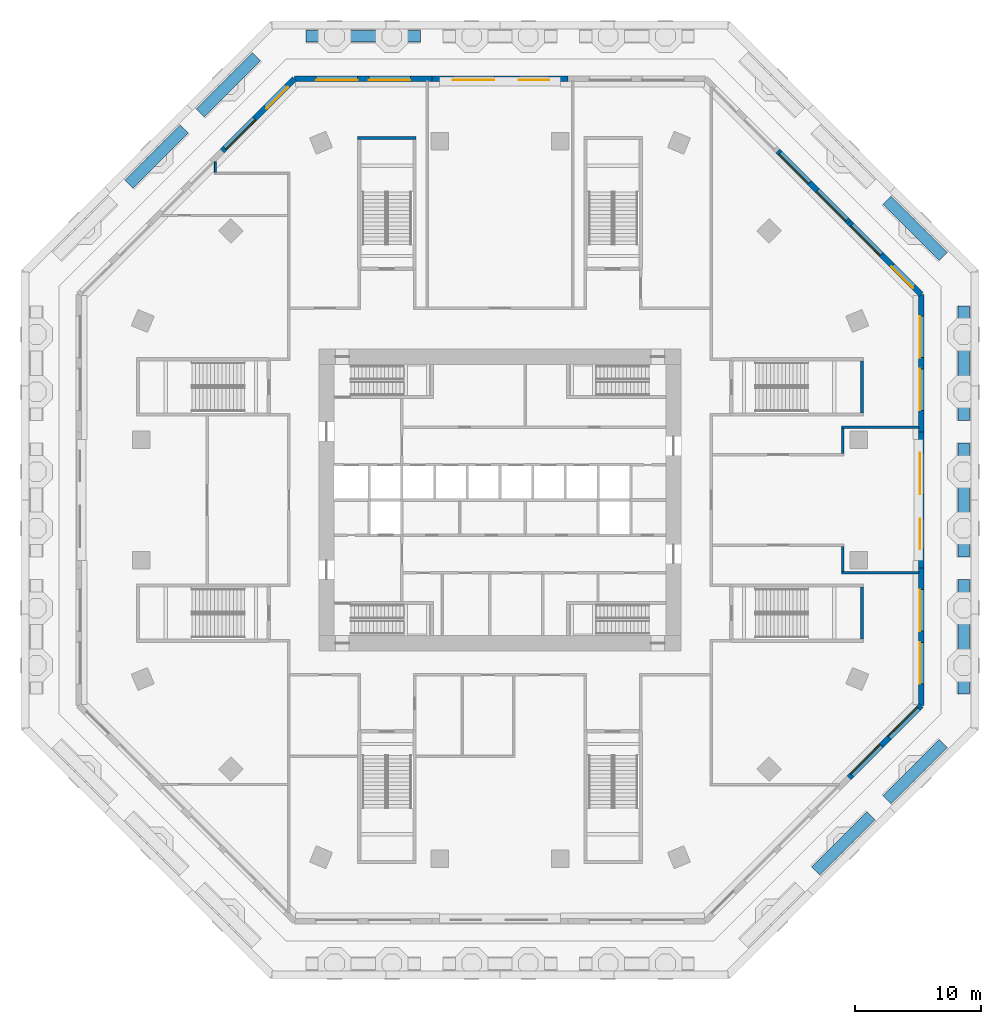
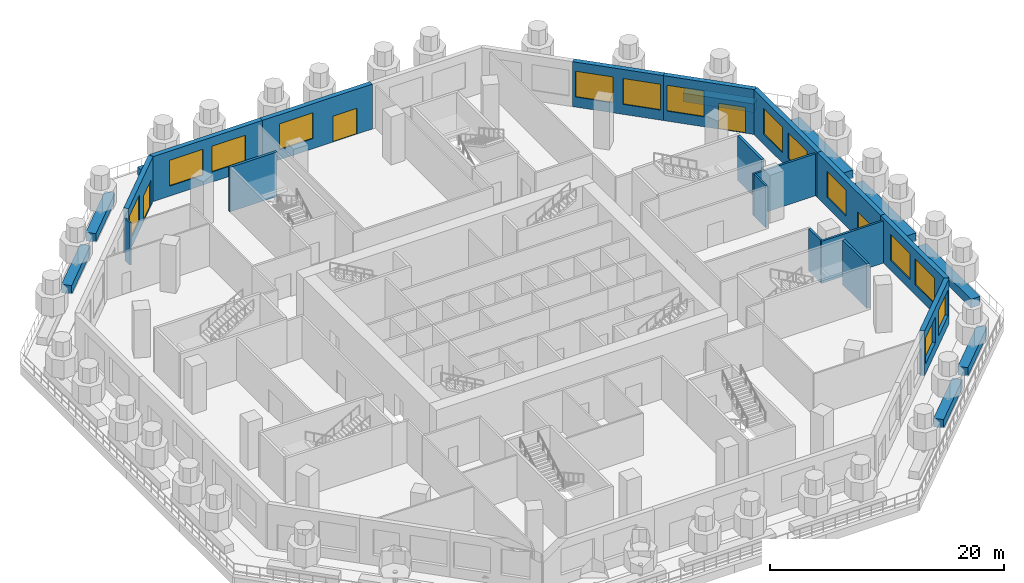
# One storey, part 8 of 13: 26 walls, 14 windows, 4 doors, 18 openings.
"""IFC4 building model written with IfcOpenShell, lengths in metres."""

import ifcopenshell
import ifcopenshell.guid

model = None  # the IFC model being written
_history = None  # IfcOwnerHistory: only IFC2X3 demands one
_inside = {}  # id of a spatial element -> (the spatial element, [elements in it])
_under = {}  # id of a project, library or spatial element -> (it, [spatial elements below it])
_declared = {}  # id of a project -> (the project, [libraries it declares])
_typed = {}  # id of a type object -> (the type object, [elements of that type])
_made_of = {}  # id of a material, layer set ... -> (it, [elements and type objects made of it])


def new_model(schema):
    """Start an empty IFC model of exactly this schema.

    Asked for "IFC4X3", IfcOpenShell would pick the latest addendum, in which some entities
    have other attributes; the version numbers below select the first issue.
    IFC2X3 requires an IfcOwnerHistory on every rooted entity: one is made here for all.
    """
    global model, _history
    if schema == "IFC4X3":
        model = ifcopenshell.file(schema_version=(4, 3, 0, 0))
    else:
        model = ifcopenshell.file(schema=schema)
    _inside.clear()
    _under.clear()
    _declared.clear()
    _typed.clear()
    _made_of.clear()
    _history = None
    if model.schema == "IFC2X3":
        org = make("IfcOrganization", Name="unknown")
        user = make(
            "IfcPersonAndOrganization",
            ThePerson=make("IfcPerson", FamilyName="unknown"),
            TheOrganization=org,
        )
        app = make(
            "IfcApplication",
            ApplicationDeveloper=org,
            Version="unknown",
            ApplicationFullName="unknown",
            ApplicationIdentifier="unknown",
        )
        _history = make(
            "IfcOwnerHistory",
            OwningUser=user,
            OwningApplication=app,
            ChangeAction="ADDED",
            CreationDate=0,
        )
    return model


def make(cls, **values):
    """One entity of the class cls with the attributes given. An attribute that is None is left unset."""
    return model.create_entity(
        cls, **{name: value for name, value in values.items() if value is not None}
    )


def rooted(cls, **values):
    """An entity with a GlobalId (a new one), such as an element, a storey or a relation."""
    return make(cls, GlobalId=ifcopenshell.guid.new(), OwnerHistory=_history, **values)


def si_unit(unit_type, name, prefix=None):
    """IfcSIUnit, for example si_unit("LENGTHUNIT", "METRE", prefix="MILLI")."""
    return make("IfcSIUnit", UnitType=unit_type, Prefix=prefix, Name=name)


def assignment(units):
    """IfcUnitAssignment: the units of a project."""
    return None if units is None else make("IfcUnitAssignment", Units=units)


def point(xyz):
    """IfcCartesianPoint."""
    return None if xyz is None else make("IfcCartesianPoint", Coordinates=xyz)


def direction(xyz):
    """IfcDirection."""
    return None if xyz is None else make("IfcDirection", DirectionRatios=xyz)


def frame(location, z_axis=None, x_axis=None):
    """IfcAxis2Placement3D, a coordinate frame: its origin and axes. An axis left out is left unset."""
    return make(
        "IfcAxis2Placement3D",
        Location=point(location),
        Axis=direction(z_axis),
        RefDirection=direction(x_axis),
    )


def frame_2d(location, x_axis=None):
    """IfcAxis2Placement2D, a coordinate frame in the plane: its origin and x axis."""
    return make(
        "IfcAxis2Placement2D", Location=point(location), RefDirection=direction(x_axis)
    )


def origin():
    """The frame at (0, 0, 0) with its axes left unset."""
    return frame((0.0, 0.0, 0.0))


def place(relative_to, where):
    """IfcLocalPlacement: puts the frame where relative to a parent placement (None: the world)."""
    return make(
        "IfcLocalPlacement", PlacementRelTo=relative_to, RelativePlacement=where
    )


def context(
    kind, dimensions, precision=None, world=None, true_north=None, identifier=None
):
    """IfcGeometricRepresentationContext, for example the 3D "Model" context."""
    return make(
        "IfcGeometricRepresentationContext",
        ContextIdentifier=identifier,
        ContextType=kind,
        CoordinateSpaceDimension=dimensions,
        Precision=precision,
        WorldCoordinateSystem=world,
        TrueNorth=true_north,
    )


def subcontext(parent, identifier, kind, view, scale=None):
    """IfcGeometricRepresentationSubContext, for example "Body" below "Model"."""
    return make(
        "IfcGeometricRepresentationSubContext",
        ContextIdentifier=identifier,
        ContextType=kind,
        ParentContext=parent,
        TargetScale=scale,
        TargetView=view,
    )


def project(units=None, contexts=None):
    """IfcProject with its units and contexts."""
    return rooted(
        "IfcProject",
        Name="project",
        RepresentationContexts=contexts,
        UnitsInContext=assignment(units),
    )


def spatial(cls, under=None, at=None, **own):
    """A site, building, storey or space (cls), placed at a placement, below another one or the project."""
    s = rooted(cls, ObjectPlacement=at, **own)
    if under is not None:
        _under.setdefault(under.id(), (under, []))[1].append(s)
    return s


def profile(cls, at=None, kind="AREA", **sizes):
    """A parametric profile (cls). Its sizes go by their IFC names, for example OverallWidth=200.0."""
    return make(cls, ProfileType=kind, Position=at, **sizes)


def rectangle(**sizes):
    """IfcRectangleProfileDef."""
    return profile("IfcRectangleProfileDef", **sizes)


def extrude(swept, where, along, depth):
    """IfcExtrudedAreaSolid: the profile swept, set in the frame where, extruded along a direction by depth."""
    return make(
        "IfcExtrudedAreaSolid",
        SweptArea=swept,
        Position=where,
        ExtrudedDirection=direction(along),
        Depth=depth,
    )


def shape(context_of_items, identifier, shape_type, items):
    """IfcShapeRepresentation: the items that make up one representation, for example the "Body"."""
    return make(
        "IfcShapeRepresentation",
        ContextOfItems=context_of_items,
        RepresentationIdentifier=identifier,
        RepresentationType=shape_type,
        Items=items,
    )


def material(Name=None, Category=None):
    """IfcMaterial."""
    return make("IfcMaterial", Name=Name, Category=Category)


def layer(
    of_material, thickness, ventilated=None, Name=None, Category=None, Priority=None
):
    """IfcMaterialLayer: one layer of a wall or slab, of a material (None: an air gap)."""
    return make(
        "IfcMaterialLayer",
        Material=of_material,
        LayerThickness=thickness,
        IsVentilated=ventilated,
        Name=Name,
        Category=Category,
        Priority=Priority,
    )


def layer_set(layers, Name=None):
    """IfcMaterialLayerSet."""
    return make("IfcMaterialLayerSet", MaterialLayers=layers, LayerSetName=Name)


def made_of(thing, what):
    """Note that an element or type object is made of a material, layer set ...; save() writes the relation."""
    if what is not None:
        _made_of.setdefault(what.id(), (what, []))[1].append(thing)
    return thing


def type_object(cls, material=None, **own):
    """A type object (cls), such as IfcWallType, which elements share."""
    return made_of(rooted(cls, **own), material)


def element(
    cls,
    number,
    at=None,
    inside=None,
    cuts=None,
    type_object=None,
    material=None,
    context=None,
    identifier="Body",
    shape_type=None,
    held_by="IfcProductDefinitionShape",
    body=None,
    shapes=None,
    **own,
):
    """One element of the class cls, such as IfcWall. Its Tag is "e" and its number.

    at: its placement. inside: the storey or other place that contains it. cuts: it is an
    opening in that element (IfcRelVoidsElement). A single representation is given by context,
    identifier, shape_type and body (its items); several are given by shapes. held_by: the class
    of the entity that holds the representations. save() writes the other relations.
    """
    e = rooted(cls, Tag="e%d" % number, ObjectPlacement=at, **own)
    if body is not None:
        shapes = [shape(context, identifier, shape_type, body)]
    if shapes is not None:
        e.Representation = make(held_by, Representations=shapes)
    if inside is not None:
        _inside.setdefault(inside.id(), (inside, []))[1].append(e)
    if cuts is not None:
        rooted(
            "IfcRelVoidsElement", RelatingBuildingElement=cuts, RelatedOpeningElement=e
        )
    if type_object is not None:
        _typed.setdefault(type_object.id(), (type_object, []))[1].append(e)
    return made_of(e, material)


def fill(opening, filler):
    """IfcRelFillsElement: the door or window that sits in an opening."""
    return rooted(
        "IfcRelFillsElement",
        RelatingOpeningElement=opening,
        RelatedBuildingElement=filler,
    )


def aggregate(whole, parts):
    """IfcRelAggregates: a whole, such as a stair, and the parts it consists of."""
    return rooted("IfcRelAggregates", RelatingObject=whole, RelatedObjects=parts)


def save(model, path):
    """Write the relations noted so far, then the file.

    IfcRelAggregates (storeys below a building ...), IfcRelContainedInSpatialStructure (elements
    in a storey), IfcRelDefinesByType, IfcRelAssociatesMaterial and IfcRelDeclares: one each for
    every whole, place, type object, material and project.
    """
    for whole, parts in _under.values():
        aggregate(whole, parts)
    for where, things in _inside.values():
        rooted(
            "IfcRelContainedInSpatialStructure",
            RelatedElements=things,
            RelatingStructure=where,
        )
    for kind, things in _typed.values():
        rooted("IfcRelDefinesByType", RelatedObjects=things, RelatingType=kind)
    for what, things in _made_of.values():
        rooted("IfcRelAssociatesMaterial", RelatedObjects=things, RelatingMaterial=what)
    for by, libraries in _declared.values():
        rooted("IfcRelDeclares", RelatingContext=by, RelatedDefinitions=libraries)
    model.write(path)


model = new_model("IFC4")

# Units and contexts
model_context = context("Model", 3, precision=1e-05, world=origin(), true_north=direction((0.0, 1.0)))
body_context = subcontext(model_context, "Body", "Model", "MODEL_VIEW")
ifc_project = project(units=[si_unit("LENGTHUNIT", "METRE"), si_unit("AREAUNIT", "SQUARE_METRE"), si_unit("VOLUMEUNIT", "CUBIC_METRE"), si_unit("PLANEANGLEUNIT", "RADIAN"), si_unit("MASSUNIT", "GRAM", prefix="KILO")], contexts=[model_context])

# Site, building, storey
site_placement = place(None, origin())
site = spatial("IfcSite", under=ifc_project, at=site_placement, CompositionType="ELEMENT")
building_placement = place(site_placement, origin())
building = spatial("IfcBuilding", under=site, at=building_placement, Name="Msitu Wima Residences", CompositionType="ELEMENT")
storey_placement = place(building_placement, frame((0.0, 0.0, 16.0)))
storey = spatial("IfcBuildingStorey", under=building, at=storey_placement, Name="L03", CompositionType="ELEMENT", Elevation=16.0)

# Wall, openings, windows
ifc_material_1 = material(Name="Brick (red buff mix), cavity wall of two leaves", Category="masonry")
ifc_layer_1 = layer(ifc_material_1, 0.449951171875)
ifc_layer_set_1 = layer_set([ifc_layer_1], Name="Brick (red buff mix), cavity wall of two leaves")
wall_type_1 = type_object("IfcWallType", Name="Brick infill wall BW450 podium", PredefinedType="ELEMENTEDWALL", material=ifc_layer_set_1)
wall_1_placement = place(storey_placement, frame((33.52490234375, -16.357177734375, 0.0), z_axis=(0.0, 0.0, 1.0), x_axis=(0.0, 1.0, 0.0)))
wall_1 = element("IfcWall", 1, at=wall_1_placement, inside=storey, type_object=wall_type_1, Name="Brick infill wall L03 E0", PredefinedType="ELEMENTEDWALL", context=body_context, shape_type="SweptSolid", body=[
    extrude(rectangle(XDim=10.935791015625, YDim=0.449951171875, at=frame_2d((5.4677734375, 0.0))), origin(), (0.0, 0.0, 1.0), 4.699951171875),
])
opening_1_placement = place(wall_1_placement, frame((1.718017578125, 0.0, 1.050048828125)))
opening_1 = element("IfcOpeningElement", 2, at=opening_1_placement, cuts=wall_1, Name="Opening W03.001", PredefinedType="OPENING", context=body_context, shape_type="SweptSolid", body=[
    extrude(rectangle(XDim=3.300048828125, YDim=2.699951171875, at=frame_2d((1.64990234375, 1.35009765625))), frame((0.0, 0.23486328125, 0.0), z_axis=(0.0, -1.0, 0.0), x_axis=(1.0, 0.0, 0.0)), (0.0, 0.0, 1.0), 0.469970703125),
])
opening_2_placement = place(wall_1_placement, frame((5.91796875, 0.0, 1.050048828125)))
opening_2 = element("IfcOpeningElement", 3, at=opening_2_placement, cuts=wall_1, Name="Opening W03.002", PredefinedType="OPENING", context=body_context, shape_type="SweptSolid", body=[
    extrude(rectangle(XDim=3.300048828125, YDim=2.699951171875, at=frame_2d((1.64990234375, 1.35009765625))), frame((0.0, 0.23486328125, 0.0), z_axis=(0.0, -1.0, 0.0), x_axis=(1.0, 0.0, 0.0)), (0.0, 0.0, 1.0), 0.469970703125),
])
ifc_material_2 = material(Name="Anodised aluminium, bronze finish, clear low-emissivity double glazing", Category="aluminium")
window_type = type_object("IfcWindowType", Name="Window W3300x2700", PartitioningType="DOUBLE_PANEL_VERTICAL", PredefinedType="WINDOW", material=ifc_material_2)
window_1_placement = place(opening_1_placement, origin())
window_1 = element("IfcWindow", 4, at=window_1_placement, inside=storey, type_object=window_type, Name="Window L03 E0.1", OverallHeight=2.699951171875, OverallWidth=3.300048828125, PartitioningType="SINGLE_PANEL", PredefinedType="WINDOW", context=body_context, shape_type="SweptSolid", body=[
    extrude(rectangle(XDim=3.300048828125, YDim=2.699951171875, at=frame_2d((1.64990234375, 1.35009765625))), frame((0.0, 0.135009765625, 0.0), z_axis=(0.0, -1.0, 0.0), x_axis=(1.0, 0.0, 0.0)), (0.0, 0.0, 1.0), 0.06005859375),
])
fill(opening_1, window_1)
window_2_placement = place(opening_2_placement, origin())
window_2 = element("IfcWindow", 5, at=window_2_placement, inside=storey, type_object=window_type, Name="Window L03 E0.2", OverallHeight=2.699951171875, OverallWidth=3.300048828125, PartitioningType="SINGLE_PANEL", PredefinedType="WINDOW", context=body_context, shape_type="SweptSolid", body=[
    extrude(rectangle(XDim=3.300048828125, YDim=2.699951171875, at=frame_2d((1.64990234375, 1.35009765625))), frame((0.0, 0.135009765625, 0.0), z_axis=(0.0, -1.0, 0.0), x_axis=(1.0, 0.0, 0.0)), (0.0, 0.0, 1.0), 0.06005859375),
])
fill(opening_2, window_2)

# Wall, openings, door, window
wall_2_placement = place(storey_placement, frame((33.52490234375, -5.42138671875, 0.0), z_axis=(0.0, 0.0, 1.0), x_axis=(0.0, 1.0, 0.0)))
wall_2 = element("IfcWall", 6, at=wall_2_placement, inside=storey, type_object=wall_type_1, Name="Brick infill wall L03 E1", PredefinedType="ELEMENTEDWALL", context=body_context, shape_type="SweptSolid", body=[
    extrude(rectangle(XDim=10.8427734375, YDim=0.449951171875, at=frame_2d((5.42138671875, 0.0))), origin(), (0.0, 0.0, 1.0), 4.699951171875),
])
opening_3_placement = place(wall_2_placement, frame((1.5107421875, 0.0, 0.0)))
opening_3 = element("IfcOpeningElement", 7, at=opening_3_placement, cuts=wall_2, Name="Opening D03.001", PredefinedType="OPENING", context=body_context, shape_type="SweptSolid", body=[
    extrude(rectangle(XDim=2.39990234375, YDim=2.699951171875, at=frame_2d((1.199951171875, 1.35009765625))), frame((0.0, 0.23486328125, 0.0), z_axis=(0.0, -1.0, 0.0), x_axis=(1.0, 0.0, 0.0)), (0.0, 0.0, 1.0), 0.469970703125),
])
opening_4_placement = place(wall_2_placement, frame((5.871337890625, 0.0, 1.050048828125)))
opening_4 = element("IfcOpeningElement", 8, at=opening_4_placement, cuts=wall_2, Name="Opening W03.003", PredefinedType="OPENING", context=body_context, shape_type="SweptSolid", body=[
    extrude(rectangle(XDim=3.300048828125, YDim=2.699951171875, at=frame_2d((1.64990234375, 1.35009765625))), frame((0.0, 0.23486328125, 0.0), z_axis=(0.0, -1.0, 0.0), x_axis=(1.0, 0.0, 0.0)), (0.0, 0.0, 1.0), 0.469970703125),
])
door_type = type_object("IfcDoorType", Name="Balcony door D2400x2700", OperationType="SLIDING_TO_LEFT", PredefinedType="DOOR", material=ifc_material_2)
door_1_placement = place(opening_3_placement, origin())
door_1 = element("IfcDoor", 9, at=door_1_placement, inside=storey, type_object=door_type, Name="Terrace door L03 E1", OperationType="SINGLE_SWING_LEFT", OverallHeight=2.699951171875, OverallWidth=2.39990234375, PredefinedType="DOOR", context=body_context, shape_type="SweptSolid", body=[
    extrude(rectangle(XDim=2.39990234375, YDim=2.699951171875, at=frame_2d((1.199951171875, 1.35009765625))), frame((0.0, 0.1298828125, 0.0), z_axis=(0.0, -1.0, 0.0), x_axis=(1.0, 0.0, 0.0)), (0.0, 0.0, 1.0), 0.050048828125),
])
fill(opening_3, door_1)
window_3_placement = place(opening_4_placement, origin())
window_3 = element("IfcWindow", 10, at=window_3_placement, inside=storey, type_object=window_type, Name="Window L03 E1.2", OverallHeight=2.699951171875, OverallWidth=3.300048828125, PartitioningType="SINGLE_PANEL", PredefinedType="WINDOW", context=body_context, shape_type="SweptSolid", body=[
    extrude(rectangle(XDim=3.300048828125, YDim=2.699951171875, at=frame_2d((1.64990234375, 1.35009765625))), frame((0.0, 0.135009765625, 0.0), z_axis=(0.0, -1.0, 0.0), x_axis=(1.0, 0.0, 0.0)), (0.0, 0.0, 1.0), 0.06005859375),
])
fill(opening_4, window_3)

# Wall, openings, windows
wall_3_placement = place(storey_placement, frame((33.52490234375, 5.42138671875, 0.0), z_axis=(0.0, 0.0, 1.0), x_axis=(0.0, 1.0, 0.0)))
wall_3 = element("IfcWall", 11, at=wall_3_placement, inside=storey, type_object=wall_type_1, Name="Brick infill wall L03 E2", PredefinedType="ELEMENTEDWALL", context=body_context, shape_type="SweptSolid", body=[
    extrude(rectangle(XDim=10.935791015625, YDim=0.449951171875, at=frame_2d((5.4677734375, 0.0))), origin(), (0.0, 0.0, 1.0), 4.699951171875),
])
opening_5_placement = place(wall_3_placement, frame((1.718017578125, 0.0, 1.050048828125)))
opening_5 = element("IfcOpeningElement", 12, at=opening_5_placement, cuts=wall_3, Name="Opening W03.004", PredefinedType="OPENING", context=body_context, shape_type="SweptSolid", body=[
    extrude(rectangle(XDim=3.300048828125, YDim=2.699951171875, at=frame_2d((1.64990234375, 1.35009765625))), frame((0.0, 0.23486328125, 0.0), z_axis=(0.0, -1.0, 0.0), x_axis=(1.0, 0.0, 0.0)), (0.0, 0.0, 1.0), 0.469970703125),
])
opening_6_placement = place(wall_3_placement, frame((5.91796875, 0.0, 1.050048828125)))
opening_6 = element("IfcOpeningElement", 13, at=opening_6_placement, cuts=wall_3, Name="Opening W03.005", PredefinedType="OPENING", context=body_context, shape_type="SweptSolid", body=[
    extrude(rectangle(XDim=3.300048828125, YDim=2.699951171875, at=frame_2d((1.64990234375, 1.35009765625))), frame((0.0, 0.23486328125, 0.0), z_axis=(0.0, -1.0, 0.0), x_axis=(1.0, 0.0, 0.0)), (0.0, 0.0, 1.0), 0.469970703125),
])
window_4_placement = place(opening_5_placement, origin())
window_4 = element("IfcWindow", 14, at=window_4_placement, inside=storey, type_object=window_type, Name="Window L03 E2.1", OverallHeight=2.699951171875, OverallWidth=3.300048828125, PartitioningType="SINGLE_PANEL", PredefinedType="WINDOW", context=body_context, shape_type="SweptSolid", body=[
    extrude(rectangle(XDim=3.300048828125, YDim=2.699951171875, at=frame_2d((1.64990234375, 1.35009765625))), frame((0.0, 0.135009765625, 0.0), z_axis=(0.0, -1.0, 0.0), x_axis=(1.0, 0.0, 0.0)), (0.0, 0.0, 1.0), 0.06005859375),
])
fill(opening_5, window_4)
window_5_placement = place(opening_6_placement, origin())
window_5 = element("IfcWindow", 15, at=window_5_placement, inside=storey, type_object=window_type, Name="Window L03 E2.2", OverallHeight=2.699951171875, OverallWidth=3.300048828125, PartitioningType="SINGLE_PANEL", PredefinedType="WINDOW", context=body_context, shape_type="SweptSolid", body=[
    extrude(rectangle(XDim=3.300048828125, YDim=2.699951171875, at=frame_2d((1.64990234375, 1.35009765625))), frame((0.0, 0.135009765625, 0.0), z_axis=(0.0, -1.0, 0.0), x_axis=(1.0, 0.0, 0.0)), (0.0, 0.0, 1.0), 0.06005859375),
])
fill(opening_6, window_5)

# Wall, openings, door, window
wall_4_placement = place(storey_placement, frame((33.52490234375, 16.357177734375, 0.0), z_axis=(0.0, 0.0, 1.0), x_axis=(-0.707091755064, 0.70712180699, 0.0)))
wall_4 = element("IfcWall", 16, at=wall_4_placement, inside=storey, type_object=wall_type_1, Name="Brick infill wall L03 NE0", PredefinedType="ELEMENTEDWALL", context=body_context, shape_type="SweptSolid", body=[
    extrude(rectangle(XDim=8.1240234375, YDim=0.449951171875, at=frame_2d((4.06201171875, 0.0))), origin(), (0.0, 0.0, 1.0), 4.699951171875),
])
opening_7_placement = place(wall_4_placement, frame((0.8310546875, 0.0, 0.0)))
opening_7 = element("IfcOpeningElement", 17, at=opening_7_placement, cuts=wall_4, Name="Opening D03.003", PredefinedType="OPENING", context=body_context, shape_type="SweptSolid", body=[
    extrude(rectangle(XDim=2.39990234375, YDim=2.699951171875, at=frame_2d((1.199951171875, 1.35009765625))), frame((0.0, 0.23486328125, 0.0), z_axis=(0.0, -1.0, 0.0), x_axis=(1.0, 0.0, 0.0)), (0.0, 0.0, 1.0), 0.469970703125),
])
opening_8_placement = place(wall_4_placement, frame((4.511962890625, 0.0, 1.050048828125)))
opening_8 = element("IfcOpeningElement", 18, at=opening_8_placement, cuts=wall_4, Name="Opening W03.011", PredefinedType="OPENING", context=body_context, shape_type="SweptSolid", body=[
    extrude(rectangle(XDim=3.300048828125, YDim=2.699951171875, at=frame_2d((1.64990234375, 1.35009765625))), frame((0.0, 0.23486328125, 0.0), z_axis=(0.0, -1.0, 0.0), x_axis=(1.0, 0.0, 0.0)), (0.0, 0.0, 1.0), 0.469970703125),
])
door_2_placement = place(opening_7_placement, origin())
door_2 = element("IfcDoor", 19, at=door_2_placement, inside=storey, type_object=door_type, Name="Terrace door L03 NE0", OperationType="SINGLE_SWING_LEFT", OverallHeight=2.699951171875, OverallWidth=2.39990234375, PredefinedType="DOOR", context=body_context, shape_type="SweptSolid", body=[
    extrude(rectangle(XDim=2.39990234375, YDim=2.699951171875, at=frame_2d((1.199951171875, 1.35009765625))), frame((0.0, 0.1298828125, 0.0), z_axis=(0.0, -1.0, 0.0), x_axis=(1.0, 0.0, 0.0)), (0.0, 0.0, 1.0), 0.050048828125),
])
fill(opening_7, door_2)
window_6_placement = place(opening_8_placement, origin())
window_6 = element("IfcWindow", 20, at=window_6_placement, inside=storey, type_object=window_type, Name="Window L03 NE0.2", OverallHeight=2.699951171875, OverallWidth=3.300048828125, PartitioningType="SINGLE_PANEL", PredefinedType="WINDOW", context=body_context, shape_type="SweptSolid", body=[
    extrude(rectangle(XDim=3.300048828125, YDim=2.699951171875, at=frame_2d((1.64990234375, 1.35009765625))), frame((0.0, 0.135009765625, 0.0), z_axis=(0.0, -1.0, 0.0), x_axis=(1.0, 0.0, 0.0)), (0.0, 0.0, 1.0), 0.06005859375),
])
fill(opening_8, window_6)

# Wall, openings, windows
wall_5_placement = place(storey_placement, frame((27.780517578125, 22.101806640625, 0.0), z_axis=(0.0, 0.0, 1.0), x_axis=(-0.707106781187, 0.707106781187, 0.0)))
wall_5 = element("IfcWall", 21, at=wall_5_placement, inside=storey, type_object=wall_type_1, Name="Brick infill wall L03 NE1", PredefinedType="ELEMENTEDWALL", context=body_context, shape_type="SweptSolid", body=[
    extrude(rectangle(XDim=8.031005859375, YDim=0.449951171875, at=frame_2d((4.015625, 0.0))), origin(), (0.0, 0.0, 1.0), 4.699951171875),
])
opening_9_placement = place(wall_5_placement, frame((0.265380859375, 0.0, 1.050048828125)))
opening_9 = element("IfcOpeningElement", 22, at=opening_9_placement, cuts=wall_5, Name="Opening W03.012", PredefinedType="OPENING", context=body_context, shape_type="SweptSolid", body=[
    extrude(rectangle(XDim=3.300048828125, YDim=2.699951171875, at=frame_2d((1.64990234375, 1.35009765625))), frame((0.0, 0.23486328125, 0.0), z_axis=(0.0, -1.0, 0.0), x_axis=(1.0, 0.0, 0.0)), (0.0, 0.0, 1.0), 0.469970703125),
])
opening_10_placement = place(wall_5_placement, frame((4.46533203125, 0.0, 1.050048828125)))
opening_10 = element("IfcOpeningElement", 23, at=opening_10_placement, cuts=wall_5, Name="Opening W03.013", PredefinedType="OPENING", context=body_context, shape_type="SweptSolid", body=[
    extrude(rectangle(XDim=3.300048828125, YDim=2.699951171875, at=frame_2d((1.64990234375, 1.35009765625))), frame((0.0, 0.23486328125, 0.0), z_axis=(0.0, -1.0, 0.0), x_axis=(1.0, 0.0, 0.0)), (0.0, 0.0, 1.0), 0.469970703125),
])
window_7_placement = place(opening_9_placement, origin())
window_7 = element("IfcWindow", 24, at=window_7_placement, inside=storey, type_object=window_type, Name="Window L03 NE1.1", OverallHeight=2.699951171875, OverallWidth=3.300048828125, PartitioningType="SINGLE_PANEL", PredefinedType="WINDOW", context=body_context, shape_type="SweptSolid", body=[
    extrude(rectangle(XDim=3.300048828125, YDim=2.699951171875, at=frame_2d((1.64990234375, 1.35009765625))), frame((0.0, 0.135009765625, 0.0), z_axis=(0.0, -1.0, 0.0), x_axis=(1.0, 0.0, 0.0)), (0.0, 0.0, 1.0), 0.06005859375),
])
fill(opening_9, window_7)
window_8_placement = place(opening_10_placement, origin())
window_8 = element("IfcWindow", 25, at=window_8_placement, inside=storey, type_object=window_type, Name="Window L03 NE1.2", OverallHeight=2.699951171875, OverallWidth=3.300048828125, PartitioningType="SINGLE_PANEL", PredefinedType="WINDOW", context=body_context, shape_type="SweptSolid", body=[
    extrude(rectangle(XDim=3.300048828125, YDim=2.699951171875, at=frame_2d((1.64990234375, 1.35009765625))), frame((0.0, 0.135009765625, 0.0), z_axis=(0.0, -1.0, 0.0), x_axis=(1.0, 0.0, 0.0)), (0.0, 0.0, 1.0), 0.06005859375),
])
fill(opening_10, window_8)

# Wall, openings, door, window
wall_6_placement = place(storey_placement, frame((5.42138671875, 33.52490234375, 0.0), z_axis=(0.0, 0.0, 1.0), x_axis=(-1.0, 0.0, 0.0)))
wall_6 = element("IfcWall", 26, at=wall_6_placement, inside=storey, type_object=wall_type_1, Name="Brick infill wall L03 N1", PredefinedType="ELEMENTEDWALL", context=body_context, shape_type="SweptSolid", body=[
    extrude(rectangle(XDim=10.8427734375, YDim=0.449951171875, at=frame_2d((5.42138671875, 0.0))), origin(), (0.0, 0.0, 1.0), 4.699951171875),
])
opening_11_placement = place(wall_6_placement, frame((1.5107421875, 0.0, 0.0)))
opening_11 = element("IfcOpeningElement", 27, at=opening_11_placement, cuts=wall_6, Name="Opening D03.002", PredefinedType="OPENING", context=body_context, shape_type="SweptSolid", body=[
    extrude(rectangle(XDim=2.39990234375, YDim=2.699951171875, at=frame_2d((1.199951171875, 1.35009765625))), frame((0.0, 0.23486328125, 0.0), z_axis=(0.0, -1.0, 0.0), x_axis=(1.0, 0.0, 0.0)), (0.0, 0.0, 1.0), 0.469970703125),
])
opening_12_placement = place(wall_6_placement, frame((5.871337890625, 0.0, 1.050048828125)))
opening_12 = element("IfcOpeningElement", 28, at=opening_12_placement, cuts=wall_6, Name="Opening W03.008", PredefinedType="OPENING", context=body_context, shape_type="SweptSolid", body=[
    extrude(rectangle(XDim=3.300048828125, YDim=2.699951171875, at=frame_2d((1.64990234375, 1.35009765625))), frame((0.0, 0.23486328125, 0.0), z_axis=(0.0, -1.0, 0.0), x_axis=(1.0, 0.0, 0.0)), (0.0, 0.0, 1.0), 0.469970703125),
])
door_3_placement = place(opening_11_placement, origin())
door_3 = element("IfcDoor", 29, at=door_3_placement, inside=storey, type_object=door_type, Name="Terrace door L03 N1", OperationType="SINGLE_SWING_LEFT", OverallHeight=2.699951171875, OverallWidth=2.39990234375, PredefinedType="DOOR", context=body_context, shape_type="SweptSolid", body=[
    extrude(rectangle(XDim=2.39990234375, YDim=2.699951171875, at=frame_2d((1.199951171875, 1.35009765625))), frame((0.0, 0.1298828125, 0.0), z_axis=(0.0, -1.0, 0.0), x_axis=(1.0, 0.0, 0.0)), (0.0, 0.0, 1.0), 0.050048828125),
])
fill(opening_11, door_3)
window_9_placement = place(opening_12_placement, origin())
window_9 = element("IfcWindow", 30, at=window_9_placement, inside=storey, type_object=window_type, Name="Window L03 N1.2", OverallHeight=2.699951171875, OverallWidth=3.300048828125, PartitioningType="SINGLE_PANEL", PredefinedType="WINDOW", context=body_context, shape_type="SweptSolid", body=[
    extrude(rectangle(XDim=3.300048828125, YDim=2.699951171875, at=frame_2d((1.64990234375, 1.35009765625))), frame((0.0, 0.135009765625, 0.0), z_axis=(0.0, -1.0, 0.0), x_axis=(1.0, 0.0, 0.0)), (0.0, 0.0, 1.0), 0.06005859375),
])
fill(opening_12, window_9)

# Wall, openings, windows
wall_7_placement = place(storey_placement, frame((-5.42138671875, 33.52490234375, 0.0), z_axis=(0.0, 0.0, 1.0), x_axis=(-1.0, 0.0, 0.0)))
wall_7 = element("IfcWall", 31, at=wall_7_placement, inside=storey, type_object=wall_type_1, Name="Brick infill wall L03 N2", PredefinedType="ELEMENTEDWALL", context=body_context, shape_type="SweptSolid", body=[
    extrude(rectangle(XDim=10.935791015625, YDim=0.449951171875, at=frame_2d((5.4677734375, 0.0))), origin(), (0.0, 0.0, 1.0), 4.699951171875),
])
opening_13_placement = place(wall_7_placement, frame((1.718017578125, 0.0, 1.050048828125)))
opening_13 = element("IfcOpeningElement", 32, at=opening_13_placement, cuts=wall_7, Name="Opening W03.009", PredefinedType="OPENING", context=body_context, shape_type="SweptSolid", body=[
    extrude(rectangle(XDim=3.300048828125, YDim=2.699951171875, at=frame_2d((1.64990234375, 1.35009765625))), frame((0.0, 0.23486328125, 0.0), z_axis=(0.0, -1.0, 0.0), x_axis=(1.0, 0.0, 0.0)), (0.0, 0.0, 1.0), 0.469970703125),
])
opening_14_placement = place(wall_7_placement, frame((5.91796875, 0.0, 1.050048828125)))
opening_14 = element("IfcOpeningElement", 33, at=opening_14_placement, cuts=wall_7, Name="Opening W03.010", PredefinedType="OPENING", context=body_context, shape_type="SweptSolid", body=[
    extrude(rectangle(XDim=3.300048828125, YDim=2.699951171875, at=frame_2d((1.64990234375, 1.35009765625))), frame((0.0, 0.23486328125, 0.0), z_axis=(0.0, -1.0, 0.0), x_axis=(1.0, 0.0, 0.0)), (0.0, 0.0, 1.0), 0.469970703125),
])
window_10_placement = place(opening_13_placement, origin())
window_10 = element("IfcWindow", 34, at=window_10_placement, inside=storey, type_object=window_type, Name="Window L03 N2.1", OverallHeight=2.699951171875, OverallWidth=3.300048828125, PartitioningType="SINGLE_PANEL", PredefinedType="WINDOW", context=body_context, shape_type="SweptSolid", body=[
    extrude(rectangle(XDim=3.300048828125, YDim=2.699951171875, at=frame_2d((1.64990234375, 1.35009765625))), frame((0.0, 0.135009765625, 0.0), z_axis=(0.0, -1.0, 0.0), x_axis=(1.0, 0.0, 0.0)), (0.0, 0.0, 1.0), 0.06005859375),
])
fill(opening_13, window_10)
window_11_placement = place(opening_14_placement, origin())
window_11 = element("IfcWindow", 35, at=window_11_placement, inside=storey, type_object=window_type, Name="Window L03 N2.2", OverallHeight=2.699951171875, OverallWidth=3.300048828125, PartitioningType="SINGLE_PANEL", PredefinedType="WINDOW", context=body_context, shape_type="SweptSolid", body=[
    extrude(rectangle(XDim=3.300048828125, YDim=2.699951171875, at=frame_2d((1.64990234375, 1.35009765625))), frame((0.0, 0.135009765625, 0.0), z_axis=(0.0, -1.0, 0.0), x_axis=(1.0, 0.0, 0.0)), (0.0, 0.0, 1.0), 0.06005859375),
])
fill(opening_14, window_11)

# Wall, openings, door, window
wall_8_placement = place(storey_placement, frame((-16.357177734375, 33.52490234375, 0.0), z_axis=(0.0, 0.0, 1.0), x_axis=(-0.70712180699, -0.707091755064, 0.0)))
wall_8 = element("IfcWall", 36, at=wall_8_placement, inside=storey, type_object=wall_type_1, Name="Brick infill wall L03 NW0", PredefinedType="ELEMENTEDWALL", context=body_context, shape_type="SweptSolid", body=[
    extrude(rectangle(XDim=8.1240234375, YDim=0.449951171875, at=frame_2d((4.06201171875, 0.0))), origin(), (0.0, 0.0, 1.0), 4.699951171875),
])
opening_15_placement = place(wall_8_placement, frame((0.8310546875, 0.0, 0.0)))
opening_15 = element("IfcOpeningElement", 37, at=opening_15_placement, cuts=wall_8, Name="Opening D03.004", PredefinedType="OPENING", context=body_context, shape_type="SweptSolid", body=[
    extrude(rectangle(XDim=2.39990234375, YDim=2.699951171875, at=frame_2d((1.199951171875, 1.35009765625))), frame((0.0, 0.23486328125, 0.0), z_axis=(0.0, -1.0, 0.0), x_axis=(1.0, 0.0, 0.0)), (0.0, 0.0, 1.0), 0.469970703125),
])
opening_16_placement = place(wall_8_placement, frame((4.511962890625, 0.0, 1.050048828125)))
opening_16 = element("IfcOpeningElement", 38, at=opening_16_placement, cuts=wall_8, Name="Opening W03.016", PredefinedType="OPENING", context=body_context, shape_type="SweptSolid", body=[
    extrude(rectangle(XDim=3.300048828125, YDim=2.699951171875, at=frame_2d((1.64990234375, 1.35009765625))), frame((0.0, 0.23486328125, 0.0), z_axis=(0.0, -1.0, 0.0), x_axis=(1.0, 0.0, 0.0)), (0.0, 0.0, 1.0), 0.469970703125),
])
door_4_placement = place(opening_15_placement, origin())
door_4 = element("IfcDoor", 39, at=door_4_placement, inside=storey, type_object=door_type, Name="Terrace door L03 NW0", OperationType="SINGLE_SWING_LEFT", OverallHeight=2.699951171875, OverallWidth=2.39990234375, PredefinedType="DOOR", context=body_context, shape_type="SweptSolid", body=[
    extrude(rectangle(XDim=2.39990234375, YDim=2.699951171875, at=frame_2d((1.199951171875, 1.35009765625))), frame((0.0, 0.1298828125, 0.0), z_axis=(0.0, -1.0, 0.0), x_axis=(1.0, 0.0, 0.0)), (0.0, 0.0, 1.0), 0.050048828125),
])
fill(opening_15, door_4)
window_12_placement = place(opening_16_placement, origin())
window_12 = element("IfcWindow", 40, at=window_12_placement, inside=storey, type_object=window_type, Name="Window L03 NW0.2", OverallHeight=2.699951171875, OverallWidth=3.300048828125, PartitioningType="SINGLE_PANEL", PredefinedType="WINDOW", context=body_context, shape_type="SweptSolid", body=[
    extrude(rectangle(XDim=3.300048828125, YDim=2.699951171875, at=frame_2d((1.64990234375, 1.35009765625))), frame((0.0, 0.135009765625, 0.0), z_axis=(0.0, -1.0, 0.0), x_axis=(1.0, 0.0, 0.0)), (0.0, 0.0, 1.0), 0.06005859375),
])
fill(opening_16, window_12)

# Wall, openings, windows
wall_9_placement = place(storey_placement, frame((27.780517578125, -22.101806640625, 0.0), z_axis=(0.0, 0.0, 1.0), x_axis=(0.707091755064, 0.70712180699, 0.0)))
wall_9 = element("IfcWall", 41, at=wall_9_placement, inside=storey, type_object=wall_type_1, Name="Brick infill wall L03 SE2", PredefinedType="ELEMENTEDWALL", context=body_context, shape_type="SweptSolid", body=[
    extrude(rectangle(XDim=8.1240234375, YDim=0.449951171875, at=frame_2d((4.06201171875, 0.0))), origin(), (0.0, 0.0, 1.0), 4.699951171875),
])
opening_17_placement = place(wall_9_placement, frame((0.31201171875, 0.0, 1.050048828125)))
opening_17 = element("IfcOpeningElement", 42, at=opening_17_placement, cuts=wall_9, Name="Opening W03.029", PredefinedType="OPENING", context=body_context, shape_type="SweptSolid", body=[
    extrude(rectangle(XDim=3.300048828125, YDim=2.699951171875, at=frame_2d((1.64990234375, 1.35009765625))), frame((0.0, 0.23486328125, 0.0), z_axis=(0.0, -1.0, 0.0), x_axis=(1.0, 0.0, 0.0)), (0.0, 0.0, 1.0), 0.469970703125),
])
opening_18_placement = place(wall_9_placement, frame((4.511962890625, 0.0, 1.050048828125)))
opening_18 = element("IfcOpeningElement", 43, at=opening_18_placement, cuts=wall_9, Name="Opening W03.030", PredefinedType="OPENING", context=body_context, shape_type="SweptSolid", body=[
    extrude(rectangle(XDim=3.300048828125, YDim=2.699951171875, at=frame_2d((1.64990234375, 1.35009765625))), frame((0.0, 0.23486328125, 0.0), z_axis=(0.0, -1.0, 0.0), x_axis=(1.0, 0.0, 0.0)), (0.0, 0.0, 1.0), 0.469970703125),
])
window_13_placement = place(opening_17_placement, origin())
window_13 = element("IfcWindow", 44, at=window_13_placement, inside=storey, type_object=window_type, Name="Window L03 SE2.1", OverallHeight=2.699951171875, OverallWidth=3.300048828125, PartitioningType="SINGLE_PANEL", PredefinedType="WINDOW", context=body_context, shape_type="SweptSolid", body=[
    extrude(rectangle(XDim=3.300048828125, YDim=2.699951171875, at=frame_2d((1.64990234375, 1.35009765625))), frame((0.0, 0.135009765625, 0.0), z_axis=(0.0, -1.0, 0.0), x_axis=(1.0, 0.0, 0.0)), (0.0, 0.0, 1.0), 0.06005859375),
])
fill(opening_17, window_13)
window_14_placement = place(opening_18_placement, origin())
window_14 = element("IfcWindow", 45, at=window_14_placement, inside=storey, type_object=window_type, Name="Window L03 SE2.2", OverallHeight=2.699951171875, OverallWidth=3.300048828125, PartitioningType="SINGLE_PANEL", PredefinedType="WINDOW", context=body_context, shape_type="SweptSolid", body=[
    extrude(rectangle(XDim=3.300048828125, YDim=2.699951171875, at=frame_2d((1.64990234375, 1.35009765625))), frame((0.0, 0.135009765625, 0.0), z_axis=(0.0, -1.0, 0.0), x_axis=(1.0, 0.0, 0.0)), (0.0, 0.0, 1.0), 0.06005859375),
])
fill(opening_18, window_14)

# Walls
ifc_material_3 = material(Name="Plaster")
ifc_layer_2 = layer(ifc_material_3, 0.011962890625, Name="Plaster")
ifc_material_4 = material(Name="Concrete blockwork", Category="masonry")
ifc_layer_3 = layer(ifc_material_4, 0.176025390625, Name="Concrete blockwork")
ifc_layer_4 = layer(ifc_material_3, 0.011962890625, Name="Plaster")
ifc_layer_set_2 = layer_set([ifc_layer_2, ifc_layer_3, ifc_layer_4], Name="Concrete blockwork")
wall_type_2 = type_object("IfcWallType", Name="Corridor wall FW200", PredefinedType="PARTITIONING", material=ifc_layer_set_2)
wall_10_placement = place(storey_placement, frame((27.2919921875, -5.699951171875, 0.0), z_axis=(0.0, 0.0, 1.0), x_axis=(0.0, 1.0, 0.0)))
element("IfcWall", 46, at=wall_10_placement, inside=storey, type_object=wall_type_2, Name="Corridor wall", PredefinedType="PARTITIONING", context=body_context, shape_type="SweptSolid", body=[
    extrude(rectangle(XDim=2.0, YDim=0.199951171875, at=frame_2d((1.0, 0.0))), origin(), (0.0, 0.0, 1.0), 4.39990234375),
])
wall_11_placement = place(storey_placement, frame((27.19189453125, -5.800048828125, 0.0), z_axis=(0.0, 0.0, 1.0), x_axis=(1.0, 0.0, 0.0)))
element("IfcWall", 47, at=wall_11_placement, inside=storey, type_object=wall_type_2, Name="Corridor wall", PredefinedType="PARTITIONING", context=body_context, shape_type="SweptSolid", body=[
    extrude(rectangle(XDim=6.1630859375, YDim=0.199951171875, at=frame_2d((3.08154296875, 0.0))), origin(), (0.0, 0.0, 1.0), 4.39990234375),
])
wall_12_placement = place(storey_placement, frame((27.2919921875, 3.699951171875, 0.0), z_axis=(0.0, 0.0, 1.0), x_axis=(0.0, 1.0, 0.0)))
element("IfcWall", 48, at=wall_12_placement, inside=storey, type_object=wall_type_2, Name="Corridor wall", PredefinedType="PARTITIONING", context=body_context, shape_type="SweptSolid", body=[
    extrude(rectangle(XDim=2.0, YDim=0.199951171875, at=frame_2d((1.0, 0.0))), origin(), (0.0, 0.0, 1.0), 4.39990234375),
])
wall_13_placement = place(storey_placement, frame((27.19189453125, 5.800048828125, 0.0), z_axis=(0.0, 0.0, 1.0), x_axis=(1.0, 0.0, 0.0)))
element("IfcWall", 49, at=wall_13_placement, inside=storey, type_object=wall_type_2, Name="Corridor wall", PredefinedType="PARTITIONING", context=body_context, shape_type="SweptSolid", body=[
    extrude(rectangle(XDim=6.1630859375, YDim=0.199951171875, at=frame_2d((3.08154296875, 0.0))), origin(), (0.0, 0.0, 1.0), 4.39990234375),
])
ifc_layer_5 = layer(ifc_material_3, 0.011962890625, Name="Plaster")
ifc_layer_6 = layer(ifc_material_4, 0.1259765625, Name="Concrete blockwork")
ifc_layer_7 = layer(ifc_material_3, 0.011962890625, Name="Plaster")
ifc_layer_set_3 = layer_set([ifc_layer_5, ifc_layer_6, ifc_layer_7], Name="Concrete blockwork")
wall_type_3 = type_object("IfcWallType", Name="Partition PW150", PredefinedType="PARTITIONING", material=ifc_layer_set_3)
wall_14_placement = place(storey_placement, frame((-22.65576171875, 26.074951171875, 0.0), z_axis=(0.0, 0.0, 1.0), x_axis=(0.0, 1.0, 0.0)))
element("IfcWall", 50, at=wall_14_placement, inside=storey, type_object=wall_type_3, Name="Partition", PredefinedType="PARTITIONING", context=body_context, shape_type="SweptSolid", body=[
    extrude(rectangle(XDim=0.833251953125, YDim=0.14990234375, at=frame_2d((0.41650390625, 0.0))), origin(), (0.0, 0.0, 1.0), 4.39990234375),
])
ifc_material_5 = material(Name="Concrete C50/60", Category="concrete")
ifc_layer_8 = layer(ifc_material_5, 0.25)
ifc_layer_set_4 = layer_set([ifc_layer_8], Name="Concrete C50/60")
wall_type_4 = type_object("IfcWallType", Name="Stair enclosure wall SW250", PredefinedType="SHEAR", material=ifc_layer_set_4)
wall_15_placement = place(storey_placement, frame((-11.324951171875, 28.800048828125, 0.0), z_axis=(0.0, 0.0, 1.0), x_axis=(1.0, 0.0, 0.0)))
element("IfcWall", 51, at=wall_15_placement, inside=storey, type_object=wall_type_4, Name="Stair enclosure wall", PredefinedType="SHEAR", context=body_context, shape_type="SweptSolid", body=[
    extrude(rectangle(XDim=4.64990234375, YDim=0.25, at=frame_2d((2.324951171875, 0.0))), origin(), (0.0, 0.0, 1.0), 4.64990234375),
])
for number, where, z_axis, x_axis, name in (
    (52, (28.800048828125, -11.074951171875, 0.0), (0.0, 0.0, 1.0), (0.0, 1.0, 0.0), "Stair enclosure wall"),
    (53, (28.800048828125, 6.925048828125, 0.0), (0.0, 0.0, 1.0), (0.0, 1.0, 0.0), "Stair enclosure wall"),
):
    element("IfcWall", number, at=place(storey_placement, frame(where, z_axis=z_axis, x_axis=x_axis)), inside=storey, type_object=wall_type_4, Name=name, PredefinedType="SHEAR", context=body_context, shape_type="SweptSolid", body=[
        extrude(rectangle(XDim=4.14990234375, YDim=0.25, at=frame_2d((2.074951171875, 0.0))), origin(), (0.0, 0.0, 1.0), 4.64990234375),
    ])
ifc_material_6 = material(Name="Facing brick")
ifc_layer_9 = layer(ifc_material_6, 0.06494140625, Name="Facing brick")
ifc_material_7 = material(Name="Concrete C40/50", Category="concrete")
ifc_layer_10 = layer(ifc_material_7, 0.381103515625, Name="Concrete C40/50")
ifc_material_8 = material(Name="Waterproofing membrane")
ifc_layer_11 = layer(ifc_material_8, 0.00390625, Name="Waterproofing membrane")
ifc_material_9 = material(Name="Planting soil and planting")
ifc_layer_12 = layer(ifc_material_9, 0.449951171875, Name="Planting soil and planting")
ifc_layer_set_5 = layer_set([ifc_layer_9, ifc_layer_10, ifc_layer_11, ifc_layer_12], Name="Concrete C40/50")
wall_type_5 = type_object("IfcWallType", Name="Terrace planter PLANTER PL900", PredefinedType="USERDEFINED", material=ifc_layer_set_5)
wall_16_placement = place(storey_placement, frame((36.89990234375, -15.457275390625, 0.0), z_axis=(0.0, 0.0, 1.0), x_axis=(0.0, 1.0, 0.0)))
element("IfcWall", 54, at=wall_16_placement, inside=storey, type_object=wall_type_5, Name="Terrace planter L03 E0", ObjectType="PLANTER", PredefinedType="USERDEFINED", context=body_context, shape_type="SweptSolid", body=[
    extrude(rectangle(XDim=9.135986328125, YDim=0.89990234375, at=frame_2d((4.56787109375, 0.0))), origin(), (0.0, 0.0, 1.0), 0.89990234375),
])
wall_17_placement = place(storey_placement, frame((36.89990234375, -4.521240234375, 0.0), z_axis=(0.0, 0.0, 1.0), x_axis=(0.0, 1.0, 0.0)))
element("IfcWall", 55, at=wall_17_placement, inside=storey, type_object=wall_type_5, Name="Terrace planter L03 E1", ObjectType="PLANTER", PredefinedType="USERDEFINED", context=body_context, shape_type="SweptSolid", body=[
    extrude(rectangle(XDim=9.04248046875, YDim=0.89990234375, at=frame_2d((4.521240234375, 0.0))), origin(), (0.0, 0.0, 1.0), 0.89990234375),
])
wall_18_placement = place(storey_placement, frame((36.89990234375, 6.3212890625, 0.0), z_axis=(0.0, 0.0, 1.0), x_axis=(0.0, 1.0, 0.0)))
element("IfcWall", 56, at=wall_18_placement, inside=storey, type_object=wall_type_5, Name="Terrace planter L03 E2", ObjectType="PLANTER", PredefinedType="USERDEFINED", context=body_context, shape_type="SweptSolid", body=[
    extrude(rectangle(XDim=9.135986328125, YDim=0.89990234375, at=frame_2d((4.56787109375, 0.0))), origin(), (0.0, 0.0, 1.0), 0.89990234375),
])
wall_19_placement = place(storey_placement, frame((35.275146484375, 19.380126953125, 0.0), z_axis=(0.0, 0.0, 1.0), x_axis=(-0.707126083377, 0.70708747847, 0.0)))
element("IfcWall", 57, at=wall_19_placement, inside=storey, type_object=wall_type_5, Name="Terrace planter L03 NE0", ObjectType="PLANTER", PredefinedType="USERDEFINED", context=body_context, shape_type="SweptSolid", body=[
    extrude(rectangle(XDim=6.323974609375, YDim=0.89990234375, at=frame_2d((3.162109375, 0.0))), origin(), (0.0, 0.0, 1.0), 0.89990234375),
])
wall_20_placement = place(storey_placement, frame((-6.3212890625, 36.89990234375, 0.0), z_axis=(0.0, 0.0, 1.0), x_axis=(-1.0, 0.0, 0.0)))
element("IfcWall", 58, at=wall_20_placement, inside=storey, type_object=wall_type_5, Name="Terrace planter L03 N2", ObjectType="PLANTER", PredefinedType="USERDEFINED", context=body_context, shape_type="SweptSolid", body=[
    extrude(rectangle(XDim=9.135986328125, YDim=0.89990234375, at=frame_2d((4.56787109375, 0.0))), origin(), (0.0, 0.0, 1.0), 0.89990234375),
])
wall_21_placement = place(storey_placement, frame((-19.380126953125, 35.275146484375, 0.0), z_axis=(0.0, 0.0, 1.0), x_axis=(-0.70708747847, -0.707126083377, 0.0)))
element("IfcWall", 59, at=wall_21_placement, inside=storey, type_object=wall_type_5, Name="Terrace planter L03 NW0", ObjectType="PLANTER", PredefinedType="USERDEFINED", context=body_context, shape_type="SweptSolid", body=[
    extrude(rectangle(XDim=6.323974609375, YDim=0.89990234375, at=frame_2d((3.162109375, 0.0))), origin(), (0.0, 0.0, 1.0), 0.89990234375),
])
for number, where, z_axis, x_axis, name in (
    (60, (-25.12451171875, 29.530517578125, 0.0), (0.0, 0.0, 1.0), (-0.707106781187, -0.707106781187, 0.0), "Terrace planter L03 NW1"),
    (61, (25.12451171875, -29.530517578125, 0.0), (0.0, 0.0, 1.0), (0.707106781187, 0.707106781187, 0.0), "Terrace planter L03 SE1"),
):
    element("IfcWall", number, at=place(storey_placement, frame(where, z_axis=z_axis, x_axis=x_axis)), inside=storey, type_object=wall_type_5, Name=name, ObjectType="PLANTER", PredefinedType="USERDEFINED", context=body_context, shape_type="SweptSolid", body=[
        extrude(rectangle(XDim=6.23095703125, YDim=0.89990234375, at=frame_2d((3.115478515625, 0.0))), origin(), (0.0, 0.0, 1.0), 0.89990234375),
    ])
wall_22_placement = place(storey_placement, frame((30.80322265625, -23.851806640625, 0.0), z_axis=(0.0, 0.0, 1.0), x_axis=(0.707126083377, 0.70708747847, 0.0)))
element("IfcWall", 62, at=wall_22_placement, inside=storey, type_object=wall_type_5, Name="Terrace planter L03 SE2", ObjectType="PLANTER", PredefinedType="USERDEFINED", context=body_context, shape_type="SweptSolid", body=[
    extrude(rectangle(XDim=6.323974609375, YDim=0.89990234375, at=frame_2d((3.162109375, 0.0))), origin(), (0.0, 0.0, 1.0), 0.89990234375),
])

save(model, "model.ifc")
